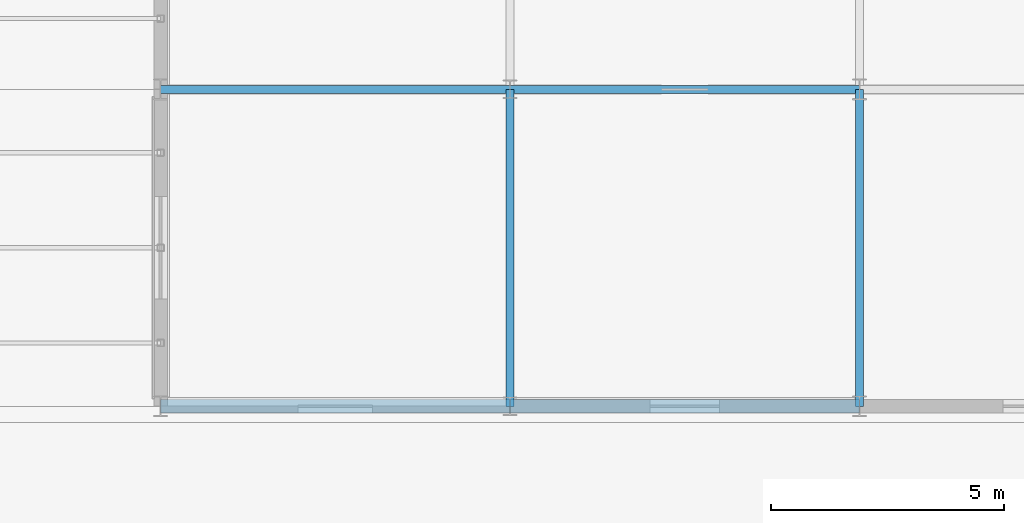
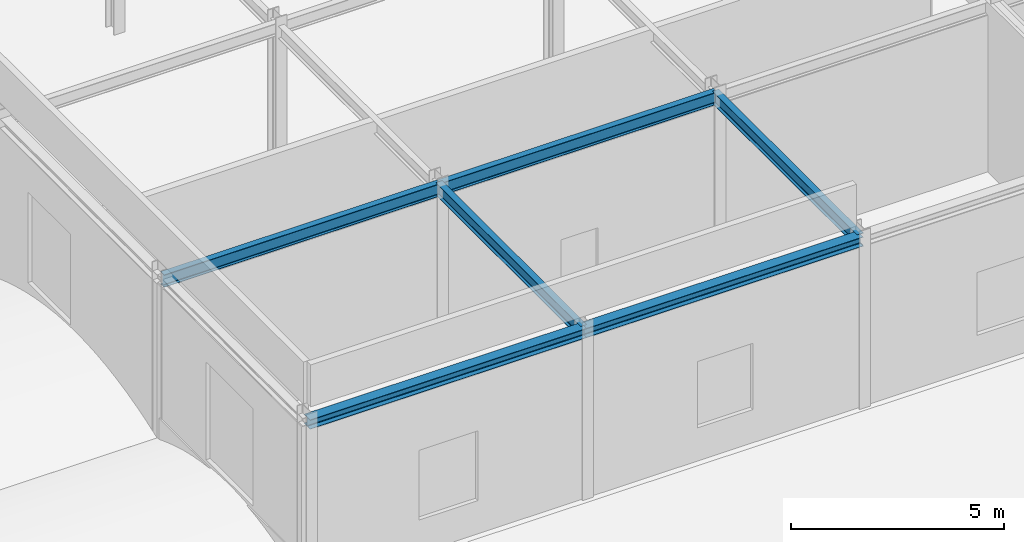
# One storey, part 16 of 113: 6 beams.
"""IFC4 building model written with IfcOpenShell, lengths in metres."""

from ifc_helpers import new_model, si_unit, direction, frame, origin, origin_2d, place, context, subcontext, project, spatial, i_section, extrude, material, material_profile, profile_set, type_object, element, save


model = new_model("IFC4")

# Units and contexts
model_context = context("Model", 3, precision=1e-05, world=origin(), true_north=direction((0.0, 1.0)))
body_context = subcontext(model_context, "Body", "Model", "MODEL_VIEW")
ifc_project = project(units=[si_unit("LENGTHUNIT", "METRE"), si_unit("AREAUNIT", "SQUARE_METRE"), si_unit("VOLUMEUNIT", "CUBIC_METRE"), si_unit("PLANEANGLEUNIT", "RADIAN"), si_unit("MASSUNIT", "GRAM", prefix="KILO")], contexts=[model_context])

# Site, building, storey
site_placement = place(None, origin())
site = spatial("IfcSite", under=ifc_project, at=site_placement, CompositionType="ELEMENT")
building_placement = place(site_placement, origin())
building = spatial("IfcBuilding", under=site, at=building_placement, Name="Shalkamar Park Central Library", CompositionType="ELEMENT")
storey_placement = place(building_placement, frame((0.0, 0.0, 5.39990234375)))
storey = spatial("IfcBuildingStorey", under=building, at=storey_placement, Name="L02", CompositionType="ELEMENT", Elevation=5.39990234375)

# Beams
ifc_material = material(Name="Steel S355", Category="steel")
ifc_material_profile_1 = material_profile(ifc_material, i_section(OverallWidth=0.280029296875, OverallDepth=0.27001953125, WebThickness=0.008056640625, FlangeThickness=0.012939453125, FilletRadius=0.02392578125, at=origin_2d()), Name="HEA 280")
ifc_profile_set_1 = profile_set([ifc_material_profile_1], Name="Steel S355")
beam_type_1 = type_object("IfcBeamType", Name="Perimeter Spandrel Beam HEA280", PredefinedType="SPANDREL", material=ifc_profile_set_1)
for number, where, z_axis, x_axis, name in (
    (1, (135.0, 248.39990234375, 4.715087890625), (1.0, 0.0, 0.0), (0.0, 1.0, 0.0), "Beam B:03-04 (L02)"),
    (2, (142.5, 248.39990234375, 4.715087890625), (1.0, 0.0, 0.0), (0.0, 1.0, 0.0), "Beam B:04-05 (L02)"),
):
    element("IfcBeam", number, at=place(storey_placement, frame(where, z_axis=z_axis, x_axis=x_axis)), inside=storey, type_object=beam_type_1, Name=name, PredefinedType="SPANDREL", context=body_context, shape_type="SweptSolid", body=[
        extrude(i_section(OverallWidth=0.280029296875, OverallDepth=0.27001953125, WebThickness=0.008056640625, FlangeThickness=0.012939453125, FilletRadius=0.02392578125, at=origin_2d()), origin(), (0.0, 0.0, 1.0), 7.5),
    ])
ifc_material_profile_2 = material_profile(ifc_material, i_section(OverallWidth=0.169921875, OverallDepth=0.360107421875, WebThickness=0.008056640625, FlangeThickness=0.0126953125, FilletRadius=0.01806640625, at=origin_2d()), Name="IPE 360")
ifc_profile_set_2 = profile_set([ifc_material_profile_2], Name="Steel S355")
beam_type_2 = type_object("IfcBeamType", Name="Primary Girder IPE360", PredefinedType="BEAM", material=ifc_profile_set_2)
for number, where, z_axis, x_axis, name in (
    (3, (135.0, 255.199951171875, 4.670166015625), (1.0, 0.0, 0.0), (0.0, 1.0, 0.0), "Beam C:03-04 (L02)"),
    (4, (142.5, 255.199951171875, 4.670166015625), (1.0, 0.0, 0.0), (0.0, 1.0, 0.0), "Beam C:04-05 (L02)"),
):
    element("IfcBeam", number, at=place(storey_placement, frame(where, z_axis=z_axis, x_axis=x_axis)), inside=storey, type_object=beam_type_2, Name=name, PredefinedType="BEAM", context=body_context, shape_type="SweptSolid", body=[
        extrude(i_section(OverallWidth=0.169921875, OverallDepth=0.360107421875, WebThickness=0.008056640625, FlangeThickness=0.0126953125, FilletRadius=0.01806640625, at=origin_2d()), origin(), (0.0, 0.0, 1.0), 7.5),
    ])
for number, where, z_axis, x_axis, name in (
    (5, (142.5, 248.39990234375, 4.670166015625), (0.0, 1.0, 0.0), (-1.0, 0.0, 0.0), "Beam 04:B-C (L02)"),
    (6, (150.0, 248.39990234375, 4.670166015625), (0.0, 1.0, 0.0), (-1.0, 0.0, 0.0), "Beam 05:B-C (L02)"),
):
    element("IfcBeam", number, at=place(storey_placement, frame(where, z_axis=z_axis, x_axis=x_axis)), inside=storey, type_object=beam_type_2, Name=name, PredefinedType="BEAM", context=body_context, shape_type="SweptSolid", body=[
        extrude(i_section(OverallWidth=0.169921875, OverallDepth=0.360107421875, WebThickness=0.008056640625, FlangeThickness=0.0126953125, FilletRadius=0.01806640625, at=origin_2d()), origin(), (0.0, 0.0, 1.0), 6.800048828125),
    ])

save(model, "model.ifc")
